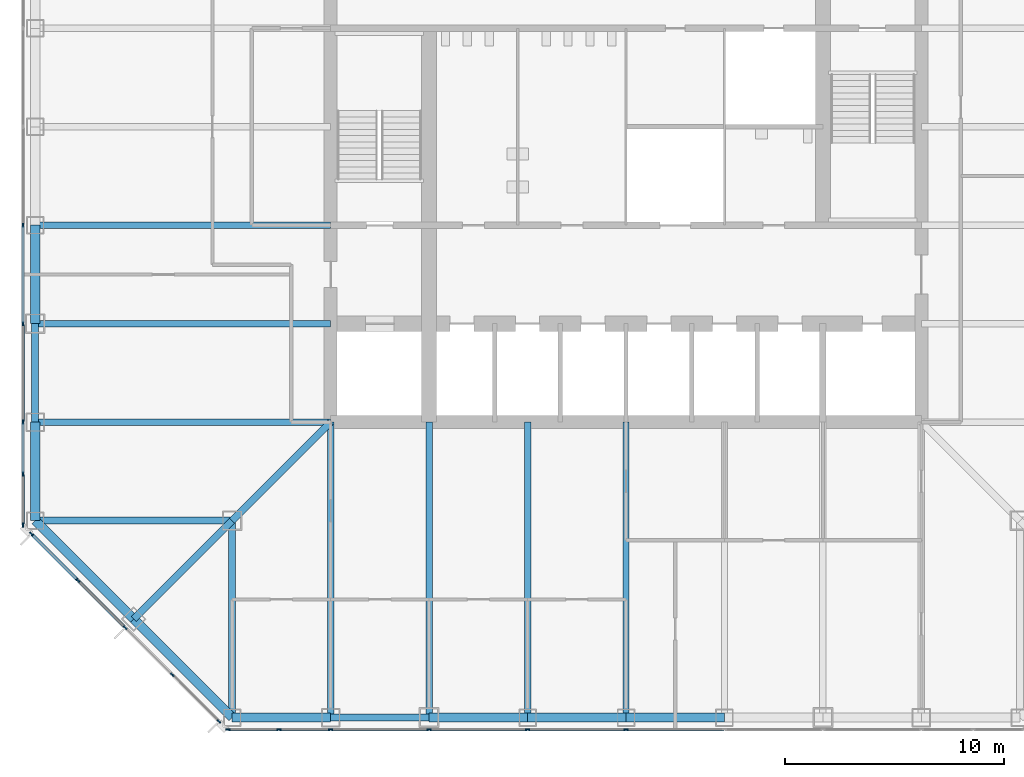
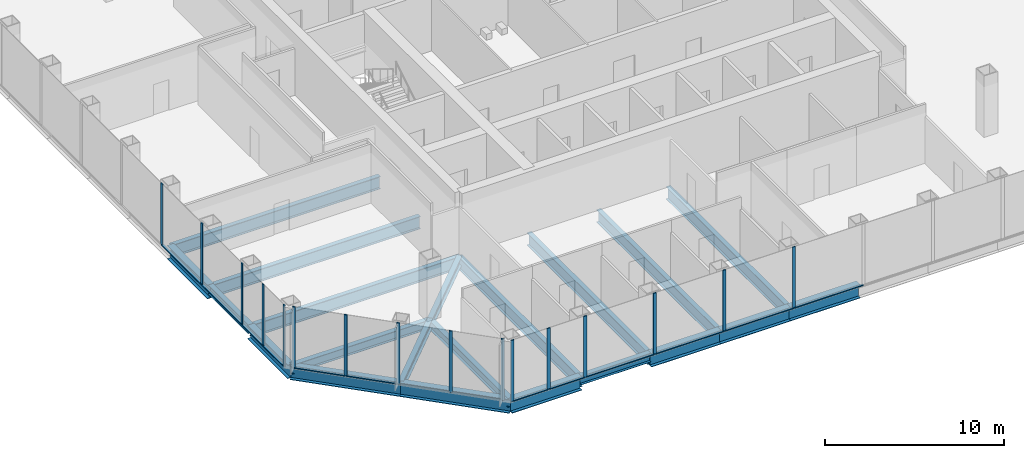
# One storey, part 2 of 13: 28 members, 21 beams, 3 elements without a shape of their own.
"""IFC4 building model written with IfcOpenShell, lengths in metres."""

from ifc_helpers import new_model, si_unit, direction, frame, origin, origin_2d, place, context, subcontext, project, spatial, rectangle, i_section, extrude, material, material_profile, profile_set, type_object, element, aggregate, save


model = new_model("IFC4")

# Units and contexts
model_context = context("Model", 3, precision=1e-05, world=origin(), true_north=direction((0.0, 1.0)))
body_context = subcontext(model_context, "Body", "Model", "MODEL_VIEW")
ifc_project = project(units=[si_unit("LENGTHUNIT", "METRE"), si_unit("AREAUNIT", "SQUARE_METRE"), si_unit("VOLUMEUNIT", "CUBIC_METRE"), si_unit("PLANEANGLEUNIT", "RADIAN"), si_unit("MASSUNIT", "GRAM", prefix="KILO")], contexts=[model_context])

# Site, building, storey
site_placement = place(None, origin())
site = spatial("IfcSite", under=ifc_project, at=site_placement, CompositionType="ELEMENT")
building_placement = place(site_placement, origin())
building = spatial("IfcBuilding", under=site, at=building_placement, Name="Corais Broadcast Tower", CompositionType="ELEMENT")
storey_placement = place(building_placement, frame((0.0, 0.0, 96.199951171875)))
storey = spatial("IfcBuildingStorey", under=building, at=storey_placement, Name="L21", CompositionType="ELEMENT", Elevation=96.199951171875)

# Beams
ifc_material_1 = material(Name="Steel ASTM A572 Grade 50", Category="steel")
ifc_material_profile_1 = material_profile(ifc_material_1, i_section(OverallWidth=0.323974609375, OverallDepth=0.611083984375, WebThickness=0.0126953125, FlangeThickness=0.01904296875, at=origin_2d()), Name="W610x155")
ifc_profile_set_1 = profile_set([ifc_material_profile_1], Name="Steel ASTM A572 Grade 50")
beam_type_1 = type_object("IfcBeamType", Name="Chamfer tie W610x155", PredefinedType="BEAM", material=ifc_profile_set_1)
beam_1_placement = place(storey_placement, frame((4.5, 4.5, -0.46533203125), z_axis=(0.707106781187, 0.707106781187, 0.0), x_axis=(-0.707106781187, 0.707106781187, 0.0)))
element("IfcBeam", 1, at=beam_1_placement, inside=storey, type_object=beam_type_1, Name="B5 B/4 to C/5", PredefinedType="BEAM", context=body_context, shape_type="SweptSolid", body=[
    extrude(i_section(OverallWidth=0.323974609375, OverallDepth=0.611083984375, WebThickness=0.0126953125, FlangeThickness=0.01904296875, at=origin_2d()), origin(), (0.0, 0.0, 1.0), 6.364013671875),
])
ifc_material_2 = material(Name="Steel ASTM A572 Grade 50", Category="steel")
ifc_material_profile_2 = material_profile(ifc_material_2, i_section(OverallWidth=0.323974609375, OverallDepth=0.611083984375, WebThickness=0.0126953125, FlangeThickness=0.01904296875, at=origin_2d()), Name="W610x155")
ifc_profile_set_2 = profile_set([ifc_material_profile_2], Name="Steel ASTM A572 Grade 50")
beam_type_2 = type_object("IfcBeamType", Name="Corner diagonal W610x155", PredefinedType="BEAM", material=ifc_profile_set_2)
beam_2_placement = place(storey_placement, frame((9.0, 9.0, -0.46533203125), z_axis=(0.707106781187, 0.707106781187, 0.0), x_axis=(-0.707106781187, 0.707106781187, 0.0)))
element("IfcBeam", 2, at=beam_2_placement, inside=storey, type_object=beam_type_2, Name="B6 C/5 to D/6", PredefinedType="BEAM", context=body_context, shape_type="SweptSolid", body=[
    extrude(i_section(OverallWidth=0.323974609375, OverallDepth=0.611083984375, WebThickness=0.0126953125, FlangeThickness=0.01904296875, at=origin_2d()), origin(), (0.0, 0.0, 1.0), 6.364013671875),
])
ifc_material_3 = material(Name="Steel ASTM A572 Grade 50", Category="steel")
ifc_material_profile_3 = material_profile(ifc_material_3, i_section(OverallWidth=0.323974609375, OverallDepth=0.611083984375, WebThickness=0.0126953125, FlangeThickness=0.01904296875, at=origin_2d()), Name="W610x155")
ifc_profile_set_3 = profile_set([ifc_material_profile_3], Name="Steel ASTM A572 Grade 50")
beam_type_3 = type_object("IfcBeamType", Name="Corner girder W610x155", PredefinedType="BEAM", material=ifc_profile_set_3)
for number, where, z_axis, x_axis, name in (
    (3, (0.0, 9.0, -0.46533203125), (1.0, 0.0, 0.0), (0.0, 1.0, 0.0), "B4 C/3 to C/5"),
    (4, (9.0, 0.0, -0.46533203125), (0.0, 1.0, 0.0), (-1.0, 0.0, 0.0), "B4 A/5 to C/5"),
):
    element("IfcBeam", number, at=place(storey_placement, frame(where, z_axis=z_axis, x_axis=x_axis)), inside=storey, type_object=beam_type_3, Name=name, PredefinedType="BEAM", context=body_context, shape_type="SweptSolid", body=[
        extrude(i_section(OverallWidth=0.323974609375, OverallDepth=0.611083984375, WebThickness=0.0126953125, FlangeThickness=0.01904296875, at=origin_2d()), origin(), (0.0, 0.0, 1.0), 9.0),
    ])
ifc_material_4 = material(Name="Steel ASTM A572 Grade 50", Category="steel")
ifc_material_profile_4 = material_profile(ifc_material_4, i_section(OverallWidth=0.2939453125, OverallDepth=0.85107421875, WebThickness=0.01611328125, FlangeThickness=0.02685546875, at=origin_2d()), Name="W840x226")
ifc_profile_set_4 = profile_set([ifc_material_profile_4], Name="Steel ASTM A572 Grade 50")
beam_type_4 = type_object("IfcBeamType", Name="Floor beam W840x226", PredefinedType="BEAM", material=ifc_profile_set_4)
for number, where, z_axis, x_axis, name in (
    (5, (0.0, 13.5, -0.58544921875), (1.0, 0.0, 0.0), (0.0, 1.0, 0.0), "B1 D/3 to D/6"),
    (6, (0.0, 18.0, -0.58544921875), (1.0, 0.0, 0.0), (0.0, 1.0, 0.0), "B1 E/3 to E/6"),
    (7, (0.0, 22.5, -0.58544921875), (1.0, 0.0, 0.0), (0.0, 1.0, 0.0), "B1 F/3 to F/6"),
    (8, (13.5, 0.0, -0.58544921875), (0.0, 1.0, 0.0), (-1.0, 0.0, 0.0), "B1 A/6 to D/6"),
    (9, (18.0, 0.0, -0.58544921875), (0.0, 1.0, 0.0), (-1.0, 0.0, 0.0), "B1 A/7 to D/7"),
    (10, (22.5, 0.0, -0.58544921875), (0.0, 1.0, 0.0), (-1.0, 0.0, 0.0), "B1 A/8 to D/8"),
    (11, (27.0, 0.0, -0.58544921875), (0.0, 1.0, 0.0), (-1.0, 0.0, 0.0), "B1 A/9 to D/9"),
):
    element("IfcBeam", number, at=place(storey_placement, frame(where, z_axis=z_axis, x_axis=x_axis)), inside=storey, type_object=beam_type_4, Name=name, PredefinedType="BEAM", context=body_context, shape_type="SweptSolid", body=[
        extrude(i_section(OverallWidth=0.2939453125, OverallDepth=0.85107421875, WebThickness=0.01611328125, FlangeThickness=0.02685546875, at=origin_2d()), origin(), (0.0, 0.0, 1.0), 13.5),
    ])

# Curtain wall, members
ifc_material_5 = material(Name="Aluminium and glass", Category="aluminium")
curtain_wall_type = type_object("IfcCurtainWallType", Name="Unitised fritted curtain wall CW1", PredefinedType="NOTDEFINED", material=ifc_material_5)
curtain_wall_1_placement = place(storey_placement, origin())
curtain_wall_1 = element("IfcCurtainWall", 12, at=curtain_wall_1_placement, inside=storey, type_object=curtain_wall_type, Name="CW1 curtain wall L21 1", PredefinedType="NOTDEFINED")
ifc_material_6 = material(Name="Aluminium 6063-T6", Category="aluminium")
ifc_material_profile_5 = material_profile(ifc_material_6, rectangle(XDim=0.06494140625, YDim=0.199951171875, at=origin_2d()), Name="Mullion CW1 65x200")
ifc_profile_set_5 = profile_set([ifc_material_profile_5], Name="Aluminium 6063-T6")
member_type_1 = type_object("IfcMemberType", Name="Mullion CW1 65x200", PredefinedType="MULLION", material=ifc_profile_set_5)
member_1_placement = place(storey_placement, frame((8.3955078125, -0.17333984375, 0.0), z_axis=(0.0, 0.0, 1.0), x_axis=(-0.707106781187, -0.707106781187, 0.0)))
member_1 = element("IfcMember", 13, at=member_1_placement, type_object=member_type_1, Name="CW1 mullion 1", PredefinedType="MULLION", context=body_context, shape_type="SweptSolid", body=[
    extrude(rectangle(XDim=0.06494140625, YDim=0.199951171875, at=origin_2d()), origin(), (0.0, 0.0, 1.0), 4.199951171875),
])
member_2_placement = place(storey_placement, frame((6.264892578125, 1.957275390625, 0.0), z_axis=(0.0, 0.0, 1.0), x_axis=(-0.707106781187, -0.707106781187, 0.0)))
member_2 = element("IfcMember", 14, at=member_2_placement, type_object=member_type_1, Name="CW1 mullion 2", PredefinedType="MULLION", context=body_context, shape_type="SweptSolid", body=[
    extrude(rectangle(XDim=0.06494140625, YDim=0.199951171875, at=origin_2d()), origin(), (0.0, 0.0, 1.0), 4.199951171875),
])
member_3_placement = place(storey_placement, frame((4.111083984375, 4.111083984375, 0.0), z_axis=(0.0, 0.0, 1.0), x_axis=(-0.707106781187, -0.707106781187, 0.0)))
member_3 = element("IfcMember", 15, at=member_3_placement, type_object=member_type_1, Name="CW1 mullion 3", PredefinedType="MULLION", context=body_context, shape_type="SweptSolid", body=[
    extrude(rectangle(XDim=0.06494140625, YDim=0.199951171875, at=origin_2d()), origin(), (0.0, 0.0, 1.0), 4.199951171875),
])
member_4_placement = place(storey_placement, frame((1.957275390625, 6.264892578125, 0.0), z_axis=(0.0, 0.0, 1.0), x_axis=(-0.707106781187, -0.707106781187, 0.0)))
member_4 = element("IfcMember", 16, at=member_4_placement, type_object=member_type_1, Name="CW1 mullion 4", PredefinedType="MULLION", context=body_context, shape_type="SweptSolid", body=[
    extrude(rectangle(XDim=0.06494140625, YDim=0.199951171875, at=origin_2d()), origin(), (0.0, 0.0, 1.0), 4.199951171875),
])
member_5_placement = place(storey_placement, frame((-0.17333984375, 8.3955078125, 0.0), z_axis=(0.0, 0.0, 1.0), x_axis=(-0.707106781187, -0.707106781187, 0.0)))
member_5 = element("IfcMember", 17, at=member_5_placement, type_object=member_type_1, Name="CW1 mullion 5", PredefinedType="MULLION", context=body_context, shape_type="SweptSolid", body=[
    extrude(rectangle(XDim=0.06494140625, YDim=0.199951171875, at=origin_2d()), origin(), (0.0, 0.0, 1.0), 4.199951171875),
])

curtain_wall_2_placement = place(storey_placement, origin())
curtain_wall_2 = element("IfcCurtainWall", 18, at=curtain_wall_2_placement, inside=storey, type_object=curtain_wall_type, Name="CW1 curtain wall L21 2", PredefinedType="NOTDEFINED")
member_6_placement = place(storey_placement, frame((-0.550048828125, 8.8046875, 0.0), z_axis=(0.0, 0.0, 1.0), x_axis=(-1.0, 0.0, 0.0)))
member_6 = element("IfcMember", 19, at=member_6_placement, type_object=member_type_1, Name="CW1 mullion 1", PredefinedType="MULLION", context=body_context, shape_type="SweptSolid", body=[
    extrude(rectangle(XDim=0.06494140625, YDim=0.199951171875, at=origin_2d()), origin(), (0.0, 0.0, 1.0), 4.199951171875),
])
member_7_placement = place(storey_placement, frame((-0.550048828125, 11.135986328125, 0.0), z_axis=(0.0, 0.0, 1.0), x_axis=(-1.0, 0.0, 0.0)))
member_7 = element("IfcMember", 20, at=member_7_placement, type_object=member_type_1, Name="CW1 mullion 2", PredefinedType="MULLION", context=body_context, shape_type="SweptSolid", body=[
    extrude(rectangle(XDim=0.06494140625, YDim=0.199951171875, at=origin_2d()), origin(), (0.0, 0.0, 1.0), 4.199951171875),
])
member_8_placement = place(storey_placement, frame((-0.550048828125, 13.5, 0.0), z_axis=(0.0, 0.0, 1.0), x_axis=(-1.0, 0.0, 0.0)))
member_8 = element("IfcMember", 21, at=member_8_placement, type_object=member_type_1, Name="CW1 mullion 3", PredefinedType="MULLION", context=body_context, shape_type="SweptSolid", body=[
    extrude(rectangle(XDim=0.06494140625, YDim=0.199951171875, at=origin_2d()), origin(), (0.0, 0.0, 1.0), 4.199951171875),
])
member_9_placement = place(storey_placement, frame((-0.550048828125, 18.0, 0.0), z_axis=(0.0, 0.0, 1.0), x_axis=(-1.0, 0.0, 0.0)))
member_9 = element("IfcMember", 22, at=member_9_placement, type_object=member_type_1, Name="CW1 mullion 4", PredefinedType="MULLION", context=body_context, shape_type="SweptSolid", body=[
    extrude(rectangle(XDim=0.06494140625, YDim=0.199951171875, at=origin_2d()), origin(), (0.0, 0.0, 1.0), 4.199951171875),
])
member_10_placement = place(storey_placement, frame((-0.550048828125, 22.5, 0.0), z_axis=(0.0, 0.0, 1.0), x_axis=(-1.0, 0.0, 0.0)))
member_10 = element("IfcMember", 23, at=member_10_placement, type_object=member_type_1, Name="CW1 mullion 5", PredefinedType="MULLION", context=body_context, shape_type="SweptSolid", body=[
    extrude(rectangle(XDim=0.06494140625, YDim=0.199951171875, at=origin_2d()), origin(), (0.0, 0.0, 1.0), 4.199951171875),
])

curtain_wall_3_placement = place(storey_placement, origin())
curtain_wall_3 = element("IfcCurtainWall", 24, at=curtain_wall_3_placement, inside=storey, type_object=curtain_wall_type, Name="CW1 curtain wall L21 8", PredefinedType="NOTDEFINED")
member_11_placement = place(storey_placement, frame((27.0, -0.550048828125, 0.0), z_axis=(0.0, 0.0, 1.0), x_axis=(0.0, -1.0, 0.0)))
member_11 = element("IfcMember", 25, at=member_11_placement, type_object=member_type_1, Name="CW1 mullion 6", PredefinedType="MULLION", context=body_context, shape_type="SweptSolid", body=[
    extrude(rectangle(XDim=0.06494140625, YDim=0.199951171875, at=origin_2d()), origin(), (0.0, 0.0, 1.0), 4.199951171875),
])
member_12_placement = place(storey_placement, frame((22.5, -0.550048828125, 0.0), z_axis=(0.0, 0.0, 1.0), x_axis=(0.0, -1.0, 0.0)))
member_12 = element("IfcMember", 26, at=member_12_placement, type_object=member_type_1, Name="CW1 mullion 7", PredefinedType="MULLION", context=body_context, shape_type="SweptSolid", body=[
    extrude(rectangle(XDim=0.06494140625, YDim=0.199951171875, at=origin_2d()), origin(), (0.0, 0.0, 1.0), 4.199951171875),
])
member_13_placement = place(storey_placement, frame((18.0, -0.550048828125, 0.0), z_axis=(0.0, 0.0, 1.0), x_axis=(0.0, -1.0, 0.0)))
member_13 = element("IfcMember", 27, at=member_13_placement, type_object=member_type_1, Name="CW1 mullion 8", PredefinedType="MULLION", context=body_context, shape_type="SweptSolid", body=[
    extrude(rectangle(XDim=0.06494140625, YDim=0.199951171875, at=origin_2d()), origin(), (0.0, 0.0, 1.0), 4.199951171875),
])
member_14_placement = place(storey_placement, frame((13.5, -0.550048828125, 0.0), z_axis=(0.0, 0.0, 1.0), x_axis=(0.0, -1.0, 0.0)))
member_14 = element("IfcMember", 28, at=member_14_placement, type_object=member_type_1, Name="CW1 mullion 9", PredefinedType="MULLION", context=body_context, shape_type="SweptSolid", body=[
    extrude(rectangle(XDim=0.06494140625, YDim=0.199951171875, at=origin_2d()), origin(), (0.0, 0.0, 1.0), 4.199951171875),
])
member_15_placement = place(storey_placement, frame((11.135986328125, -0.550048828125, 0.0), z_axis=(0.0, 0.0, 1.0), x_axis=(0.0, -1.0, 0.0)))
member_15 = element("IfcMember", 29, at=member_15_placement, type_object=member_type_1, Name="CW1 mullion 10", PredefinedType="MULLION", context=body_context, shape_type="SweptSolid", body=[
    extrude(rectangle(XDim=0.06494140625, YDim=0.199951171875, at=origin_2d()), origin(), (0.0, 0.0, 1.0), 4.199951171875),
])
member_16_placement = place(storey_placement, frame((8.8046875, -0.550048828125, 0.0), z_axis=(0.0, 0.0, 1.0), x_axis=(0.0, -1.0, 0.0)))
member_16 = element("IfcMember", 30, at=member_16_placement, type_object=member_type_1, Name="CW1 mullion 11", PredefinedType="MULLION", context=body_context, shape_type="SweptSolid", body=[
    extrude(rectangle(XDim=0.06494140625, YDim=0.199951171875, at=origin_2d()), origin(), (0.0, 0.0, 1.0), 4.199951171875),
])

# Beams
ifc_material_7 = material(Name="Steel ASTM A572 Grade 50", Category="steel")
ifc_material_profile_6 = material_profile(ifc_material_7, i_section(OverallWidth=0.323974609375, OverallDepth=0.611083984375, WebThickness=0.0126953125, FlangeThickness=0.01904296875, at=origin_2d()), Name="W610x155")
ifc_profile_set_6 = profile_set([ifc_material_profile_6], Name="Steel ASTM A572 Grade 50")
beam_type_5 = type_object("IfcBeamType", Name="Pinned spandrel W610x155", PredefinedType="BEAM", material=ifc_profile_set_6)
for number, where, z_axis, x_axis, name in (
    (31, (0.0, 18.0, -0.46533203125), (0.0, -1.0, 0.0), (1.0, 0.0, 0.0), "SB6 E/3 to D/3"),
    (32, (13.5, 0.0, -0.46533203125), (1.0, 0.0, 0.0), (0.0, 1.0, 0.0), "SB6 A/6 to A/7"),
):
    element("IfcBeam", number, at=place(storey_placement, frame(where, z_axis=z_axis, x_axis=x_axis)), inside=storey, type_object=beam_type_5, Name=name, PredefinedType="BEAM", context=body_context, shape_type="SweptSolid", body=[
        extrude(i_section(OverallWidth=0.323974609375, OverallDepth=0.611083984375, WebThickness=0.0126953125, FlangeThickness=0.01904296875, at=origin_2d()), origin(), (0.0, 0.0, 1.0), 4.5),
    ])
ifc_material_8 = material(Name="Steel ASTM A572 Grade 50", Category="steel")
ifc_material_profile_7 = material_profile(ifc_material_8, i_section(OverallWidth=0.4189453125, OverallDepth=0.94189453125, WebThickness=0.022216796875, FlangeThickness=0.03662109375, at=origin_2d()), Name="W920x345")
ifc_profile_set_7 = profile_set([ifc_material_profile_7], Name="Steel ASTM A572 Grade 50")
beam_type_6 = type_object("IfcBeamType", Name="Transfer spandrel W920x345", PredefinedType="BEAM", material=ifc_profile_set_7)
for number, where, z_axis, x_axis, name in (
    (33, (0.0, 13.5, -0.630859375), (0.0, -1.0, 0.0), (1.0, 0.0, 0.0), "SB4 D/3 to C/3"),
    (34, (0.0, 22.5, -0.630859375), (0.0, -1.0, 0.0), (1.0, 0.0, 0.0), "SB4 F/3 to E/3"),
):
    element("IfcBeam", number, at=place(storey_placement, frame(where, z_axis=z_axis, x_axis=x_axis)), inside=storey, type_object=beam_type_6, Name=name, PredefinedType="BEAM", context=body_context, shape_type="SweptSolid", body=[
        extrude(i_section(OverallWidth=0.4189453125, OverallDepth=0.94189453125, WebThickness=0.022216796875, FlangeThickness=0.03662109375, at=origin_2d()), origin(), (0.0, 0.0, 1.0), 4.5),
    ])
beam_3_placement = place(storey_placement, frame((0.0, 9.0, -0.630859375), z_axis=(0.707106781187, -0.707106781187, 0.0), x_axis=(0.707106781187, 0.707106781187, 0.0)))
element("IfcBeam", 35, at=beam_3_placement, inside=storey, type_object=beam_type_6, Name="SB4 C/3 to B/4", PredefinedType="BEAM", context=body_context, shape_type="SweptSolid", body=[
    extrude(i_section(OverallWidth=0.4189453125, OverallDepth=0.94189453125, WebThickness=0.022216796875, FlangeThickness=0.03662109375, at=origin_2d()), origin(), (0.0, 0.0, 1.0), 6.364013671875),
])
for number, where, z_axis, x_axis, name in (
    (36, (18.0, 0.0, -0.630859375), (1.0, 0.0, 0.0), (0.0, 1.0, 0.0), "SB4 A/7 to A/8"),
    (37, (22.5, 0.0, -0.630859375), (1.0, 0.0, 0.0), (0.0, 1.0, 0.0), "SB4 A/8 to A/9"),
    (38, (27.0, 0.0, -0.630859375), (1.0, 0.0, 0.0), (0.0, 1.0, 0.0), "SB4 A/9 to A/10"),
):
    element("IfcBeam", number, at=place(storey_placement, frame(where, z_axis=z_axis, x_axis=x_axis)), inside=storey, type_object=beam_type_6, Name=name, PredefinedType="BEAM", context=body_context, shape_type="SweptSolid", body=[
        extrude(i_section(OverallWidth=0.4189453125, OverallDepth=0.94189453125, WebThickness=0.022216796875, FlangeThickness=0.03662109375, at=origin_2d()), origin(), (0.0, 0.0, 1.0), 4.5),
    ])
beam_4_placement = place(storey_placement, frame((4.5, 4.5, -0.630859375), z_axis=(0.707106781187, -0.707106781187, 0.0), x_axis=(0.707106781187, 0.707106781187, 0.0)))
element("IfcBeam", 39, at=beam_4_placement, inside=storey, type_object=beam_type_6, Name="SB4 B/4 to A/5", PredefinedType="BEAM", context=body_context, shape_type="SweptSolid", body=[
    extrude(i_section(OverallWidth=0.4189453125, OverallDepth=0.94189453125, WebThickness=0.022216796875, FlangeThickness=0.03662109375, at=origin_2d()), origin(), (0.0, 0.0, 1.0), 6.364013671875),
])
beam_5_placement = place(storey_placement, frame((9.0, 0.0, -0.630859375), z_axis=(1.0, 0.0, 0.0), x_axis=(0.0, 1.0, 0.0)))
element("IfcBeam", 40, at=beam_5_placement, inside=storey, type_object=beam_type_6, Name="SB4 A/5 to A/6", PredefinedType="BEAM", context=body_context, shape_type="SweptSolid", body=[
    extrude(i_section(OverallWidth=0.4189453125, OverallDepth=0.94189453125, WebThickness=0.022216796875, FlangeThickness=0.03662109375, at=origin_2d()), origin(), (0.0, 0.0, 1.0), 4.5),
])

# Member
ifc_material_9 = material(Name="Aluminium 6063-T6", Category="aluminium")
ifc_material_profile_8 = material_profile(ifc_material_9, rectangle(XDim=0.139892578125, YDim=0.06494140625, at=origin_2d()), Name="Transom CW1 65x140")
ifc_profile_set_8 = profile_set([ifc_material_profile_8], Name="Aluminium 6063-T6")
member_type_2 = type_object("IfcMemberType", Name="Transom CW1 65x140", PredefinedType="USERDEFINED", material=ifc_profile_set_8)
member_17_placement = place(storey_placement, frame((4.088134765625, 4.134033203125, 0.032470703125), z_axis=(-0.707106781187, 0.707106781187, 0.0), x_axis=(-0.707106781187, -0.707106781187, 0.0)))
member_17 = element("IfcMember", 41, at=member_17_placement, type_object=member_type_2, Name="CW1 transom 3.1", ObjectType="TRANSOM", PredefinedType="USERDEFINED", context=body_context, shape_type="SweptSolid", body=[
    extrude(rectangle(XDim=0.139892578125, YDim=0.06494140625, at=origin_2d()), origin(), (0.0, 0.0, 1.0), 2.98095703125),
])

member_18_placement = place(storey_placement, frame((1.934326171875, 6.287841796875, 0.032470703125), z_axis=(-0.707106781187, 0.707106781187, 0.0), x_axis=(-0.707106781187, -0.707106781187, 0.0)))
member_18 = element("IfcMember", 42, at=member_18_placement, type_object=member_type_2, Name="CW1 transom 4.1", ObjectType="TRANSOM", PredefinedType="USERDEFINED", context=body_context, shape_type="SweptSolid", body=[
    extrude(rectangle(XDim=0.139892578125, YDim=0.06494140625, at=origin_2d()), origin(), (0.0, 0.0, 1.0), 2.9482421875),
])

aggregate(curtain_wall_1, [member_1, member_2, member_3, member_4, member_5, member_17, member_18])

member_19_placement = place(storey_placement, frame((-0.550048828125, 8.837158203125, 0.032470703125), z_axis=(0.0, 1.0, 0.0), x_axis=(-1.0, 0.0, 0.0)))
member_19 = element("IfcMember", 43, at=member_19_placement, type_object=member_type_2, Name="CW1 transom 1.1", ObjectType="TRANSOM", PredefinedType="USERDEFINED", context=body_context, shape_type="SweptSolid", body=[
    extrude(rectangle(XDim=0.139892578125, YDim=0.06494140625, at=origin_2d()), origin(), (0.0, 0.0, 1.0), 2.266357421875),
])

member_20_placement = place(storey_placement, frame((-0.550048828125, 11.168701171875, 0.032470703125), z_axis=(0.0, 1.0, 0.0), x_axis=(-1.0, 0.0, 0.0)))
member_20 = element("IfcMember", 44, at=member_20_placement, type_object=member_type_2, Name="CW1 transom 2.1", ObjectType="TRANSOM", PredefinedType="USERDEFINED", context=body_context, shape_type="SweptSolid", body=[
    extrude(rectangle(XDim=0.139892578125, YDim=0.06494140625, at=origin_2d()), origin(), (0.0, 0.0, 1.0), 2.298828125),
])

member_21_placement = place(storey_placement, frame((-0.550048828125, 13.532470703125, 0.032470703125), z_axis=(0.0, 1.0, 0.0), x_axis=(-1.0, 0.0, 0.0)))
member_21 = element("IfcMember", 45, at=member_21_placement, type_object=member_type_2, Name="CW1 transom 3.1", ObjectType="TRANSOM", PredefinedType="USERDEFINED", context=body_context, shape_type="SweptSolid", body=[
    extrude(rectangle(XDim=0.139892578125, YDim=0.06494140625, at=origin_2d()), origin(), (0.0, 0.0, 1.0), 4.43505859375),
])

member_22_placement = place(storey_placement, frame((-0.550048828125, 18.032470703125, 0.032470703125), z_axis=(0.0, 1.0, 0.0), x_axis=(-1.0, 0.0, 0.0)))
member_22 = element("IfcMember", 46, at=member_22_placement, type_object=member_type_2, Name="CW1 transom 4.1", ObjectType="TRANSOM", PredefinedType="USERDEFINED", context=body_context, shape_type="SweptSolid", body=[
    extrude(rectangle(XDim=0.139892578125, YDim=0.06494140625, at=origin_2d()), origin(), (0.0, 0.0, 1.0), 4.43505859375),
])

aggregate(curtain_wall_2, [member_6, member_7, member_8, member_9, member_10, member_19, member_20, member_21, member_22])

member_23_placement = place(storey_placement, frame((31.467529296875, -0.550048828125, 0.032470703125), z_axis=(-1.0, 0.0, 0.0), x_axis=(0.0, -1.0, 0.0)))
member_23 = element("IfcMember", 47, at=member_23_placement, type_object=member_type_2, Name="CW1 transom 5.1", ObjectType="TRANSOM", PredefinedType="USERDEFINED", context=body_context, shape_type="SweptSolid", body=[
    extrude(rectangle(XDim=0.139892578125, YDim=0.06494140625, at=origin_2d()), origin(), (0.0, 0.0, 1.0), 4.43505859375),
])

member_24_placement = place(storey_placement, frame((26.967529296875, -0.550048828125, 0.032470703125), z_axis=(-1.0, 0.0, 0.0), x_axis=(0.0, -1.0, 0.0)))
member_24 = element("IfcMember", 48, at=member_24_placement, type_object=member_type_2, Name="CW1 transom 6.1", ObjectType="TRANSOM", PredefinedType="USERDEFINED", context=body_context, shape_type="SweptSolid", body=[
    extrude(rectangle(XDim=0.139892578125, YDim=0.06494140625, at=origin_2d()), origin(), (0.0, 0.0, 1.0), 4.43505859375),
])

member_25_placement = place(storey_placement, frame((22.467529296875, -0.550048828125, 0.032470703125), z_axis=(-1.0, 0.0, 0.0), x_axis=(0.0, -1.0, 0.0)))
member_25 = element("IfcMember", 49, at=member_25_placement, type_object=member_type_2, Name="CW1 transom 7.1", ObjectType="TRANSOM", PredefinedType="USERDEFINED", context=body_context, shape_type="SweptSolid", body=[
    extrude(rectangle(XDim=0.139892578125, YDim=0.06494140625, at=origin_2d()), origin(), (0.0, 0.0, 1.0), 4.43505859375),
])

member_26_placement = place(storey_placement, frame((17.967529296875, -0.550048828125, 0.032470703125), z_axis=(-1.0, 0.0, 0.0), x_axis=(0.0, -1.0, 0.0)))
member_26 = element("IfcMember", 50, at=member_26_placement, type_object=member_type_2, Name="CW1 transom 8.1", ObjectType="TRANSOM", PredefinedType="USERDEFINED", context=body_context, shape_type="SweptSolid", body=[
    extrude(rectangle(XDim=0.139892578125, YDim=0.06494140625, at=origin_2d()), origin(), (0.0, 0.0, 1.0), 4.43505859375),
])

member_27_placement = place(storey_placement, frame((13.467529296875, -0.550048828125, 0.032470703125), z_axis=(-1.0, 0.0, 0.0), x_axis=(0.0, -1.0, 0.0)))
member_27 = element("IfcMember", 51, at=member_27_placement, type_object=member_type_2, Name="CW1 transom 9.1", ObjectType="TRANSOM", PredefinedType="USERDEFINED", context=body_context, shape_type="SweptSolid", body=[
    extrude(rectangle(XDim=0.139892578125, YDim=0.06494140625, at=origin_2d()), origin(), (0.0, 0.0, 1.0), 2.298828125),
])

member_28_placement = place(storey_placement, frame((11.103515625, -0.550048828125, 0.032470703125), z_axis=(-1.0, 0.0, 0.0), x_axis=(0.0, -1.0, 0.0)))
member_28 = element("IfcMember", 52, at=member_28_placement, type_object=member_type_2, Name="CW1 transom 10.1", ObjectType="TRANSOM", PredefinedType="USERDEFINED", context=body_context, shape_type="SweptSolid", body=[
    extrude(rectangle(XDim=0.139892578125, YDim=0.06494140625, at=origin_2d()), origin(), (0.0, 0.0, 1.0), 2.266357421875),
])

aggregate(curtain_wall_3, [member_11, member_12, member_13, member_14, member_15, member_16, member_23, member_24, member_25, member_26, member_27, member_28])

save(model, "model.ifc")
